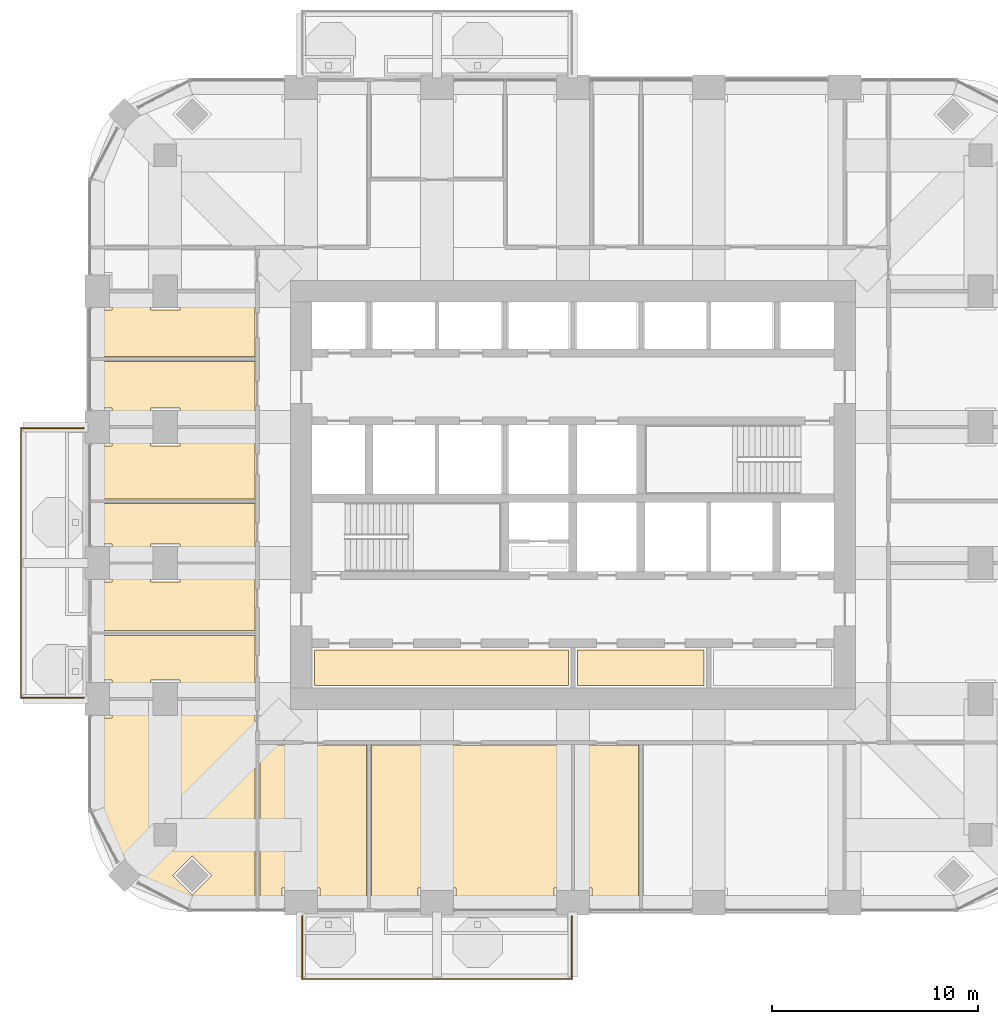
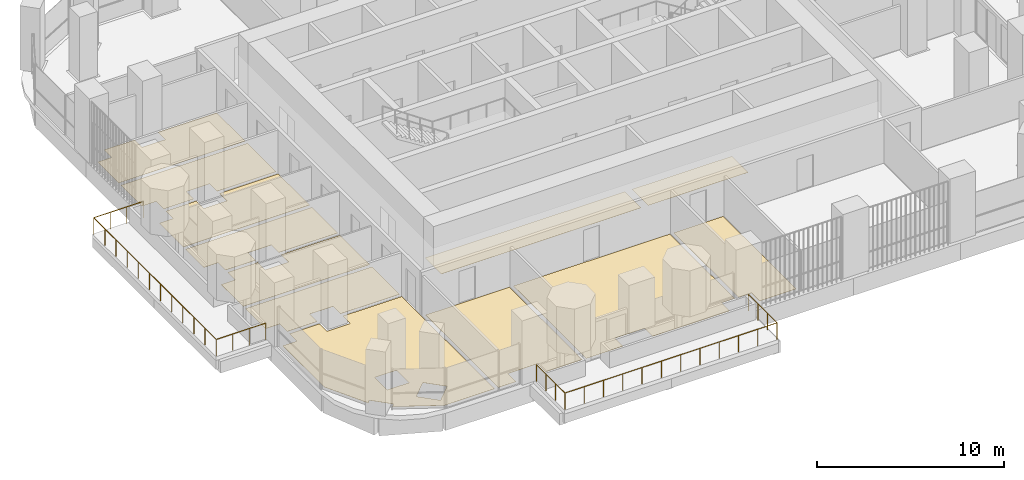
# One storey, part 16 of 20: 12 coverings, 2 railings.
"""IFC4 building model written with IfcOpenShell, lengths in metres."""

import ifcopenshell
import ifcopenshell.guid

model = None  # the IFC model being written
_history = None  # IfcOwnerHistory: only IFC2X3 demands one
_inside = {}  # id of a spatial element -> (the spatial element, [elements in it])
_under = {}  # id of a project, library or spatial element -> (it, [spatial elements below it])
_declared = {}  # id of a project -> (the project, [libraries it declares])
_typed = {}  # id of a type object -> (the type object, [elements of that type])
_made_of = {}  # id of a material, layer set ... -> (it, [elements and type objects made of it])


def new_model(schema):
    """Start an empty IFC model of exactly this schema.

    Asked for "IFC4X3", IfcOpenShell would pick the latest addendum, in which some entities
    have other attributes; the version numbers below select the first issue.
    IFC2X3 requires an IfcOwnerHistory on every rooted entity: one is made here for all.
    """
    global model, _history
    if schema == "IFC4X3":
        model = ifcopenshell.file(schema_version=(4, 3, 0, 0))
    else:
        model = ifcopenshell.file(schema=schema)
    _inside.clear()
    _under.clear()
    _declared.clear()
    _typed.clear()
    _made_of.clear()
    _history = None
    if model.schema == "IFC2X3":
        org = make("IfcOrganization", Name="unknown")
        user = make(
            "IfcPersonAndOrganization",
            ThePerson=make("IfcPerson", FamilyName="unknown"),
            TheOrganization=org,
        )
        app = make(
            "IfcApplication",
            ApplicationDeveloper=org,
            Version="unknown",
            ApplicationFullName="unknown",
            ApplicationIdentifier="unknown",
        )
        _history = make(
            "IfcOwnerHistory",
            OwningUser=user,
            OwningApplication=app,
            ChangeAction="ADDED",
            CreationDate=0,
        )
    return model


def make(cls, **values):
    """One entity of the class cls with the attributes given. An attribute that is None is left unset."""
    return model.create_entity(
        cls, **{name: value for name, value in values.items() if value is not None}
    )


def rooted(cls, **values):
    """An entity with a GlobalId (a new one), such as an element, a storey or a relation."""
    return make(cls, GlobalId=ifcopenshell.guid.new(), OwnerHistory=_history, **values)


def si_unit(unit_type, name, prefix=None):
    """IfcSIUnit, for example si_unit("LENGTHUNIT", "METRE", prefix="MILLI")."""
    return make("IfcSIUnit", UnitType=unit_type, Prefix=prefix, Name=name)


def assignment(units):
    """IfcUnitAssignment: the units of a project."""
    return None if units is None else make("IfcUnitAssignment", Units=units)


def point(xyz):
    """IfcCartesianPoint."""
    return None if xyz is None else make("IfcCartesianPoint", Coordinates=xyz)


def direction(xyz):
    """IfcDirection."""
    return None if xyz is None else make("IfcDirection", DirectionRatios=xyz)


def frame(location, z_axis=None, x_axis=None):
    """IfcAxis2Placement3D, a coordinate frame: its origin and axes. An axis left out is left unset."""
    return make(
        "IfcAxis2Placement3D",
        Location=point(location),
        Axis=direction(z_axis),
        RefDirection=direction(x_axis),
    )


def origin():
    """The frame at (0, 0, 0) with its axes left unset."""
    return frame((0.0, 0.0, 0.0))


def place(relative_to, where):
    """IfcLocalPlacement: puts the frame where relative to a parent placement (None: the world)."""
    return make(
        "IfcLocalPlacement", PlacementRelTo=relative_to, RelativePlacement=where
    )


def context(
    kind, dimensions, precision=None, world=None, true_north=None, identifier=None
):
    """IfcGeometricRepresentationContext, for example the 3D "Model" context."""
    return make(
        "IfcGeometricRepresentationContext",
        ContextIdentifier=identifier,
        ContextType=kind,
        CoordinateSpaceDimension=dimensions,
        Precision=precision,
        WorldCoordinateSystem=world,
        TrueNorth=true_north,
    )


def subcontext(parent, identifier, kind, view, scale=None):
    """IfcGeometricRepresentationSubContext, for example "Body" below "Model"."""
    return make(
        "IfcGeometricRepresentationSubContext",
        ContextIdentifier=identifier,
        ContextType=kind,
        ParentContext=parent,
        TargetScale=scale,
        TargetView=view,
    )


def project(units=None, contexts=None):
    """IfcProject with its units and contexts."""
    return rooted(
        "IfcProject",
        Name="project",
        RepresentationContexts=contexts,
        UnitsInContext=assignment(units),
    )


def spatial(cls, under=None, at=None, **own):
    """A site, building, storey or space (cls), placed at a placement, below another one or the project."""
    s = rooted(cls, ObjectPlacement=at, **own)
    if under is not None:
        _under.setdefault(under.id(), (under, []))[1].append(s)
    return s


def polyline(points):
    """IfcPolyline through the points."""
    return make("IfcPolyline", Points=[point(p) for p in points])


def outline(outer, holes=None, kind="AREA"):
    """IfcArbitraryClosedProfileDef: a profile drawn as a closed curve; with holes, ...WithVoids."""
    if holes is None:
        return make("IfcArbitraryClosedProfileDef", ProfileType=kind, OuterCurve=outer)
    return make(
        "IfcArbitraryProfileDefWithVoids",
        ProfileType=kind,
        OuterCurve=outer,
        InnerCurves=holes,
    )


def extrude(swept, where, along, depth):
    """IfcExtrudedAreaSolid: the profile swept, set in the frame where, extruded along a direction by depth."""
    return make(
        "IfcExtrudedAreaSolid",
        SweptArea=swept,
        Position=where,
        ExtrudedDirection=direction(along),
        Depth=depth,
    )


def shape(context_of_items, identifier, shape_type, items):
    """IfcShapeRepresentation: the items that make up one representation, for example the "Body"."""
    return make(
        "IfcShapeRepresentation",
        ContextOfItems=context_of_items,
        RepresentationIdentifier=identifier,
        RepresentationType=shape_type,
        Items=items,
    )


def material(Name=None, Category=None):
    """IfcMaterial."""
    return make("IfcMaterial", Name=Name, Category=Category)


def layer(
    of_material, thickness, ventilated=None, Name=None, Category=None, Priority=None
):
    """IfcMaterialLayer: one layer of a wall or slab, of a material (None: an air gap)."""
    return make(
        "IfcMaterialLayer",
        Material=of_material,
        LayerThickness=thickness,
        IsVentilated=ventilated,
        Name=Name,
        Category=Category,
        Priority=Priority,
    )


def layer_set(layers, Name=None):
    """IfcMaterialLayerSet."""
    return make("IfcMaterialLayerSet", MaterialLayers=layers, LayerSetName=Name)


def made_of(thing, what):
    """Note that an element or type object is made of a material, layer set ...; save() writes the relation."""
    if what is not None:
        _made_of.setdefault(what.id(), (what, []))[1].append(thing)
    return thing


def type_object(cls, material=None, **own):
    """A type object (cls), such as IfcWallType, which elements share."""
    return made_of(rooted(cls, **own), material)


def element(
    cls,
    number,
    at=None,
    inside=None,
    cuts=None,
    type_object=None,
    material=None,
    context=None,
    identifier="Body",
    shape_type=None,
    held_by="IfcProductDefinitionShape",
    body=None,
    shapes=None,
    **own,
):
    """One element of the class cls, such as IfcWall. Its Tag is "e" and its number.

    at: its placement. inside: the storey or other place that contains it. cuts: it is an
    opening in that element (IfcRelVoidsElement). A single representation is given by context,
    identifier, shape_type and body (its items); several are given by shapes. held_by: the class
    of the entity that holds the representations. save() writes the other relations.
    """
    e = rooted(cls, Tag="e%d" % number, ObjectPlacement=at, **own)
    if body is not None:
        shapes = [shape(context, identifier, shape_type, body)]
    if shapes is not None:
        e.Representation = make(held_by, Representations=shapes)
    if inside is not None:
        _inside.setdefault(inside.id(), (inside, []))[1].append(e)
    if cuts is not None:
        rooted(
            "IfcRelVoidsElement", RelatingBuildingElement=cuts, RelatedOpeningElement=e
        )
    if type_object is not None:
        _typed.setdefault(type_object.id(), (type_object, []))[1].append(e)
    return made_of(e, material)


def aggregate(whole, parts):
    """IfcRelAggregates: a whole, such as a stair, and the parts it consists of."""
    return rooted("IfcRelAggregates", RelatingObject=whole, RelatedObjects=parts)


def save(model, path):
    """Write the relations noted so far, then the file.

    IfcRelAggregates (storeys below a building ...), IfcRelContainedInSpatialStructure (elements
    in a storey), IfcRelDefinesByType, IfcRelAssociatesMaterial and IfcRelDeclares: one each for
    every whole, place, type object, material and project.
    """
    for whole, parts in _under.values():
        aggregate(whole, parts)
    for where, things in _inside.values():
        rooted(
            "IfcRelContainedInSpatialStructure",
            RelatedElements=things,
            RelatingStructure=where,
        )
    for kind, things in _typed.values():
        rooted("IfcRelDefinesByType", RelatedObjects=things, RelatingType=kind)
    for what, things in _made_of.values():
        rooted("IfcRelAssociatesMaterial", RelatedObjects=things, RelatingMaterial=what)
    for by, libraries in _declared.values():
        rooted("IfcRelDeclares", RelatingContext=by, RelatedDefinitions=libraries)
    model.write(path)


model = new_model("IFC4")

# Units and contexts
model_context = context("Model", 3, precision=1e-05, world=origin(), true_north=direction((0.0, 1.0)))
body_context = subcontext(model_context, "Body", "Model", "MODEL_VIEW")
ifc_project = project(units=[si_unit("LENGTHUNIT", "METRE"), si_unit("AREAUNIT", "SQUARE_METRE"), si_unit("VOLUMEUNIT", "CUBIC_METRE"), si_unit("PLANEANGLEUNIT", "RADIAN"), si_unit("MASSUNIT", "GRAM", prefix="KILO")], contexts=[model_context])

# Site, building, storey
site_placement = place(None, origin())
site = spatial("IfcSite", under=ifc_project, at=site_placement, CompositionType="ELEMENT")
building_placement = place(site_placement, origin())
building = spatial("IfcBuilding", under=site, at=building_placement, Name="Cobogo Forest Laboratory Tower", CompositionType="ELEMENT")
storey_placement = place(building_placement, frame((0.0, 0.0, 210.300048828125)))
storey = spatial("IfcBuildingStorey", under=building, at=storey_placement, Name="L48", CompositionType="ELEMENT", Elevation=210.300048828125)

# Railings
ifc_material_1 = material(Name="Laminated glass balustrade", Category="glass")
railing_type = type_object("IfcRailingType", Name="BG1 glass balustrade 1100", PredefinedType="GUARDRAIL", material=ifc_material_1)
railing_1_placement = place(storey_placement, frame((13.25, 2.64990234375, 0.0)))
element("IfcRailing", 1, at=railing_1_placement, inside=storey, type_object=railing_type, Name="Balcony balustrade BAL-S1 L48", PredefinedType="GUARDRAIL", context=body_context, shape_type="SweptSolid", body=[
    extrude(outline(polyline([(0.022216796875, 0.00927734375), (0.00927734375, 0.022216796875), (-0.00927734375, 0.022216796875), (-0.022216796875, 0.00927734375), (-0.022216796875, -0.00927734375), (-0.00927734375, -0.022216796875), (0.00927734375, -0.022216796875), (0.022216796875, -0.00927734375), (0.022216796875, 0.00927734375)])), frame((0.0, 0.0, 1.077880859375), z_axis=(0.0, -1.0, 0.0), x_axis=(1.0, 0.0, 0.0)), (0.0, 0.0, 1.0), 3.0498046875),
    extrude(outline(polyline([(0.022216796875, 0.00927734375), (0.00927734375, 0.022216796875), (-0.00927734375, 0.022216796875), (-0.022216796875, 0.00927734375), (-0.022216796875, -0.00927734375), (-0.00927734375, -0.022216796875), (0.00927734375, -0.022216796875), (0.022216796875, -0.00927734375), (0.022216796875, 0.00927734375)])), frame((0.0, -3.0498046875, 1.077880859375), z_axis=(1.0, 0.0, 0.0), x_axis=(0.0, 1.0, 0.0)), (0.0, 0.0, 1.0), 13.10009765625),
    extrude(outline(polyline([(0.022216796875, 0.00927734375), (0.00927734375, 0.022216796875), (-0.00927734375, 0.022216796875), (-0.022216796875, 0.00927734375), (-0.022216796875, -0.00927734375), (-0.00927734375, -0.022216796875), (0.00927734375, -0.022216796875), (0.022216796875, -0.00927734375), (0.022216796875, 0.00927734375)])), frame((13.10009765625, -3.0498046875, 1.077880859375), z_axis=(0.0, 1.0, 0.0), x_axis=(-1.0, 0.0, 0.0)), (0.0, 0.0, 1.0), 3.0498046875),
    extrude(outline(polyline([(0.019287109375, 0.008056640625), (0.008056640625, 0.019287109375), (-0.008056640625, 0.019287109375), (-0.019287109375, 0.008056640625), (-0.019287109375, -0.008056640625), (-0.008056640625, -0.019287109375), (0.008056640625, -0.019287109375), (0.019287109375, -0.008056640625), (0.019287109375, 0.008056640625)])), origin(), (0.0, 0.0, 1.0), 1.077880859375),
    extrude(outline(polyline([(0.019287109375, 0.008056640625), (0.008056640625, 0.019287109375), (-0.008056640625, 0.019287109375), (-0.019287109375, 0.008056640625), (-0.019287109375, -0.008056640625), (-0.008056640625, -0.019287109375), (0.008056640625, -0.019287109375), (0.019287109375, -0.008056640625), (0.019287109375, 0.008056640625)])), frame((0.0, -1.0166015625, 0.0)), (0.0, 0.0, 1.0), 1.077880859375),
    extrude(outline(polyline([(0.019287109375, 0.008056640625), (0.008056640625, 0.019287109375), (-0.008056640625, 0.019287109375), (-0.019287109375, 0.008056640625), (-0.019287109375, -0.008056640625), (-0.008056640625, -0.019287109375), (0.008056640625, -0.019287109375), (0.019287109375, -0.008056640625), (0.019287109375, 0.008056640625)])), frame((0.0, -2.033203125, 0.0)), (0.0, 0.0, 1.0), 1.077880859375),
    extrude(outline(polyline([(0.019287109375, 0.008056640625), (0.008056640625, 0.019287109375), (-0.008056640625, 0.019287109375), (-0.019287109375, 0.008056640625), (-0.019287109375, -0.008056640625), (-0.008056640625, -0.019287109375), (0.008056640625, -0.019287109375), (0.019287109375, -0.008056640625), (0.019287109375, 0.008056640625)])), frame((0.0, -3.0498046875, 0.0)), (0.0, 0.0, 1.0), 1.077880859375),
    extrude(outline(polyline([(0.019287109375, 0.008056640625), (0.008056640625, 0.019287109375), (-0.008056640625, 0.019287109375), (-0.019287109375, 0.008056640625), (-0.019287109375, -0.008056640625), (-0.008056640625, -0.019287109375), (0.008056640625, -0.019287109375), (0.019287109375, -0.008056640625), (0.019287109375, 0.008056640625)])), frame((1.19091796875, -3.0498046875, 0.0)), (0.0, 0.0, 1.0), 1.077880859375),
    extrude(outline(polyline([(0.019287109375, 0.008056640625), (0.008056640625, 0.019287109375), (-0.008056640625, 0.019287109375), (-0.019287109375, 0.008056640625), (-0.019287109375, -0.008056640625), (-0.008056640625, -0.019287109375), (0.008056640625, -0.019287109375), (0.019287109375, -0.008056640625), (0.019287109375, 0.008056640625)])), frame((2.3818359375, -3.0498046875, 0.0)), (0.0, 0.0, 1.0), 1.077880859375),
    extrude(outline(polyline([(0.019287109375, 0.008056640625), (0.008056640625, 0.019287109375), (-0.008056640625, 0.019287109375), (-0.019287109375, 0.008056640625), (-0.019287109375, -0.008056640625), (-0.008056640625, -0.019287109375), (0.008056640625, -0.019287109375), (0.019287109375, -0.008056640625), (0.019287109375, 0.008056640625)])), frame((3.57275390625, -3.0498046875, 0.0)), (0.0, 0.0, 1.0), 1.077880859375),
    extrude(outline(polyline([(0.019287109375, 0.008056640625), (0.008056640625, 0.019287109375), (-0.008056640625, 0.019287109375), (-0.019287109375, 0.008056640625), (-0.019287109375, -0.008056640625), (-0.008056640625, -0.019287109375), (0.008056640625, -0.019287109375), (0.019287109375, -0.008056640625), (0.019287109375, 0.008056640625)])), frame((4.763671875, -3.0498046875, 0.0)), (0.0, 0.0, 1.0), 1.077880859375),
    extrude(outline(polyline([(0.019287109375, 0.008056640625), (0.008056640625, 0.019287109375), (-0.008056640625, 0.019287109375), (-0.019287109375, 0.008056640625), (-0.019287109375, -0.008056640625), (-0.008056640625, -0.019287109375), (0.008056640625, -0.019287109375), (0.019287109375, -0.008056640625), (0.019287109375, 0.008056640625)])), frame((5.95458984375, -3.0498046875, 0.0)), (0.0, 0.0, 1.0), 1.077880859375),
    extrude(outline(polyline([(0.019287109375, 0.008056640625), (0.008056640625, 0.019287109375), (-0.008056640625, 0.019287109375), (-0.019287109375, 0.008056640625), (-0.019287109375, -0.008056640625), (-0.008056640625, -0.019287109375), (0.008056640625, -0.019287109375), (0.019287109375, -0.008056640625), (0.019287109375, 0.008056640625)])), frame((7.1455078125, -3.0498046875, 0.0)), (0.0, 0.0, 1.0), 1.077880859375),
    extrude(outline(polyline([(0.019287109375, 0.008056640625), (0.008056640625, 0.019287109375), (-0.008056640625, 0.019287109375), (-0.019287109375, 0.008056640625), (-0.019287109375, -0.008056640625), (-0.008056640625, -0.019287109375), (0.008056640625, -0.019287109375), (0.019287109375, -0.008056640625), (0.019287109375, 0.008056640625)])), frame((8.33642578125, -3.0498046875, 0.0)), (0.0, 0.0, 1.0), 1.077880859375),
    extrude(outline(polyline([(0.019287109375, 0.008056640625), (0.008056640625, 0.019287109375), (-0.008056640625, 0.019287109375), (-0.019287109375, 0.008056640625), (-0.019287109375, -0.008056640625), (-0.008056640625, -0.019287109375), (0.008056640625, -0.019287109375), (0.019287109375, -0.008056640625), (0.019287109375, 0.008056640625)])), frame((9.52734375, -3.0498046875, 0.0)), (0.0, 0.0, 1.0), 1.077880859375),
    extrude(outline(polyline([(0.019287109375, 0.008056640625), (0.008056640625, 0.019287109375), (-0.008056640625, 0.019287109375), (-0.019287109375, 0.008056640625), (-0.019287109375, -0.008056640625), (-0.008056640625, -0.019287109375), (0.008056640625, -0.019287109375), (0.019287109375, -0.008056640625), (0.019287109375, 0.008056640625)])), frame((10.71826171875, -3.0498046875, 0.0)), (0.0, 0.0, 1.0), 1.077880859375),
    extrude(outline(polyline([(0.019287109375, 0.008056640625), (0.008056640625, 0.019287109375), (-0.008056640625, 0.019287109375), (-0.019287109375, 0.008056640625), (-0.019287109375, -0.008056640625), (-0.008056640625, -0.019287109375), (0.008056640625, -0.019287109375), (0.019287109375, -0.008056640625), (0.019287109375, 0.008056640625)])), frame((11.9091796875, -3.0498046875, 0.0)), (0.0, 0.0, 1.0), 1.077880859375),
    extrude(outline(polyline([(0.019287109375, 0.008056640625), (0.008056640625, 0.019287109375), (-0.008056640625, 0.019287109375), (-0.019287109375, 0.008056640625), (-0.019287109375, -0.008056640625), (-0.008056640625, -0.019287109375), (0.008056640625, -0.019287109375), (0.019287109375, -0.008056640625), (0.019287109375, 0.008056640625)])), frame((13.10009765625, -3.0498046875, 0.0)), (0.0, 0.0, 1.0), 1.077880859375),
    extrude(outline(polyline([(0.019287109375, 0.008056640625), (0.008056640625, 0.019287109375), (-0.008056640625, 0.019287109375), (-0.019287109375, 0.008056640625), (-0.019287109375, -0.008056640625), (-0.008056640625, -0.019287109375), (0.008056640625, -0.019287109375), (0.019287109375, -0.008056640625), (0.019287109375, 0.008056640625)])), frame((13.10009765625, -2.033203125, 0.0)), (0.0, 0.0, 1.0), 1.077880859375),
    extrude(outline(polyline([(0.019287109375, 0.008056640625), (0.008056640625, 0.019287109375), (-0.008056640625, 0.019287109375), (-0.019287109375, 0.008056640625), (-0.019287109375, -0.008056640625), (-0.008056640625, -0.019287109375), (0.008056640625, -0.019287109375), (0.019287109375, -0.008056640625), (0.019287109375, 0.008056640625)])), frame((13.10009765625, -1.0166015625, 0.0)), (0.0, 0.0, 1.0), 1.077880859375),
    extrude(outline(polyline([(0.019287109375, 0.008056640625), (0.008056640625, 0.019287109375), (-0.008056640625, 0.019287109375), (-0.019287109375, 0.008056640625), (-0.019287109375, -0.008056640625), (-0.008056640625, -0.019287109375), (0.008056640625, -0.019287109375), (0.019287109375, -0.008056640625), (0.019287109375, 0.008056640625)])), frame((13.10009765625, 0.0, 0.0)), (0.0, 0.0, 1.0), 1.077880859375),
])
railing_2_placement = place(storey_placement, frame((2.64990234375, 13.25, 0.0)))
element("IfcRailing", 2, at=railing_2_placement, inside=storey, type_object=railing_type, Name="Balcony balustrade BAL-W1 L48", PredefinedType="GUARDRAIL", context=body_context, shape_type="SweptSolid", body=[
    extrude(outline(polyline([(0.022216796875, 0.00927734375), (0.00927734375, 0.022216796875), (-0.00927734375, 0.022216796875), (-0.022216796875, 0.00927734375), (-0.022216796875, -0.00927734375), (-0.00927734375, -0.022216796875), (0.00927734375, -0.022216796875), (0.022216796875, -0.00927734375), (0.022216796875, 0.00927734375)])), frame((0.0, 0.0, 1.077880859375), z_axis=(-1.0, 0.0, 0.0), x_axis=(0.0, -1.0, 0.0)), (0.0, 0.0, 1.0), 3.0498046875),
    extrude(outline(polyline([(0.022216796875, 0.00927734375), (0.00927734375, 0.022216796875), (-0.00927734375, 0.022216796875), (-0.022216796875, 0.00927734375), (-0.022216796875, -0.00927734375), (-0.00927734375, -0.022216796875), (0.00927734375, -0.022216796875), (0.022216796875, -0.00927734375), (0.022216796875, 0.00927734375)])), frame((-3.0498046875, 0.0, 1.077880859375), z_axis=(0.0, 1.0, 0.0), x_axis=(-1.0, 0.0, 0.0)), (0.0, 0.0, 1.0), 13.10009765625),
    extrude(outline(polyline([(0.022216796875, 0.00927734375), (0.00927734375, 0.022216796875), (-0.00927734375, 0.022216796875), (-0.022216796875, 0.00927734375), (-0.022216796875, -0.00927734375), (-0.00927734375, -0.022216796875), (0.00927734375, -0.022216796875), (0.022216796875, -0.00927734375), (0.022216796875, 0.00927734375)])), frame((-3.0498046875, 13.10009765625, 1.077880859375), z_axis=(1.0, 0.0, 0.0), x_axis=(0.0, 1.0, 0.0)), (0.0, 0.0, 1.0), 3.0498046875),
    extrude(outline(polyline([(0.019287109375, 0.008056640625), (0.008056640625, 0.019287109375), (-0.008056640625, 0.019287109375), (-0.019287109375, 0.008056640625), (-0.019287109375, -0.008056640625), (-0.008056640625, -0.019287109375), (0.008056640625, -0.019287109375), (0.019287109375, -0.008056640625), (0.019287109375, 0.008056640625)])), origin(), (0.0, 0.0, 1.0), 1.077880859375),
    extrude(outline(polyline([(0.019287109375, 0.008056640625), (0.008056640625, 0.019287109375), (-0.008056640625, 0.019287109375), (-0.019287109375, 0.008056640625), (-0.019287109375, -0.008056640625), (-0.008056640625, -0.019287109375), (0.008056640625, -0.019287109375), (0.019287109375, -0.008056640625), (0.019287109375, 0.008056640625)])), frame((-1.0166015625, 0.0, 0.0)), (0.0, 0.0, 1.0), 1.077880859375),
    extrude(outline(polyline([(0.019287109375, 0.008056640625), (0.008056640625, 0.019287109375), (-0.008056640625, 0.019287109375), (-0.019287109375, 0.008056640625), (-0.019287109375, -0.008056640625), (-0.008056640625, -0.019287109375), (0.008056640625, -0.019287109375), (0.019287109375, -0.008056640625), (0.019287109375, 0.008056640625)])), frame((-2.033203125, 0.0, 0.0)), (0.0, 0.0, 1.0), 1.077880859375),
    extrude(outline(polyline([(0.019287109375, 0.008056640625), (0.008056640625, 0.019287109375), (-0.008056640625, 0.019287109375), (-0.019287109375, 0.008056640625), (-0.019287109375, -0.008056640625), (-0.008056640625, -0.019287109375), (0.008056640625, -0.019287109375), (0.019287109375, -0.008056640625), (0.019287109375, 0.008056640625)])), frame((-3.0498046875, 0.0, 0.0)), (0.0, 0.0, 1.0), 1.077880859375),
    extrude(outline(polyline([(0.019287109375, 0.008056640625), (0.008056640625, 0.019287109375), (-0.008056640625, 0.019287109375), (-0.019287109375, 0.008056640625), (-0.019287109375, -0.008056640625), (-0.008056640625, -0.019287109375), (0.008056640625, -0.019287109375), (0.019287109375, -0.008056640625), (0.019287109375, 0.008056640625)])), frame((-3.0498046875, 1.19091796875, 0.0)), (0.0, 0.0, 1.0), 1.077880859375),
    extrude(outline(polyline([(0.019287109375, 0.008056640625), (0.008056640625, 0.019287109375), (-0.008056640625, 0.019287109375), (-0.019287109375, 0.008056640625), (-0.019287109375, -0.008056640625), (-0.008056640625, -0.019287109375), (0.008056640625, -0.019287109375), (0.019287109375, -0.008056640625), (0.019287109375, 0.008056640625)])), frame((-3.0498046875, 2.3818359375, 0.0)), (0.0, 0.0, 1.0), 1.077880859375),
    extrude(outline(polyline([(0.019287109375, 0.008056640625), (0.008056640625, 0.019287109375), (-0.008056640625, 0.019287109375), (-0.019287109375, 0.008056640625), (-0.019287109375, -0.008056640625), (-0.008056640625, -0.019287109375), (0.008056640625, -0.019287109375), (0.019287109375, -0.008056640625), (0.019287109375, 0.008056640625)])), frame((-3.0498046875, 3.57275390625, 0.0)), (0.0, 0.0, 1.0), 1.077880859375),
    extrude(outline(polyline([(0.019287109375, 0.008056640625), (0.008056640625, 0.019287109375), (-0.008056640625, 0.019287109375), (-0.019287109375, 0.008056640625), (-0.019287109375, -0.008056640625), (-0.008056640625, -0.019287109375), (0.008056640625, -0.019287109375), (0.019287109375, -0.008056640625), (0.019287109375, 0.008056640625)])), frame((-3.0498046875, 4.763671875, 0.0)), (0.0, 0.0, 1.0), 1.077880859375),
    extrude(outline(polyline([(0.019287109375, 0.008056640625), (0.008056640625, 0.019287109375), (-0.008056640625, 0.019287109375), (-0.019287109375, 0.008056640625), (-0.019287109375, -0.008056640625), (-0.008056640625, -0.019287109375), (0.008056640625, -0.019287109375), (0.019287109375, -0.008056640625), (0.019287109375, 0.008056640625)])), frame((-3.0498046875, 5.95458984375, 0.0)), (0.0, 0.0, 1.0), 1.077880859375),
    extrude(outline(polyline([(0.019287109375, 0.008056640625), (0.008056640625, 0.019287109375), (-0.008056640625, 0.019287109375), (-0.019287109375, 0.008056640625), (-0.019287109375, -0.008056640625), (-0.008056640625, -0.019287109375), (0.008056640625, -0.019287109375), (0.019287109375, -0.008056640625), (0.019287109375, 0.008056640625)])), frame((-3.0498046875, 7.1455078125, 0.0)), (0.0, 0.0, 1.0), 1.077880859375),
    extrude(outline(polyline([(0.019287109375, 0.008056640625), (0.008056640625, 0.019287109375), (-0.008056640625, 0.019287109375), (-0.019287109375, 0.008056640625), (-0.019287109375, -0.008056640625), (-0.008056640625, -0.019287109375), (0.008056640625, -0.019287109375), (0.019287109375, -0.008056640625), (0.019287109375, 0.008056640625)])), frame((-3.0498046875, 8.33642578125, 0.0)), (0.0, 0.0, 1.0), 1.077880859375),
    extrude(outline(polyline([(0.019287109375, 0.008056640625), (0.008056640625, 0.019287109375), (-0.008056640625, 0.019287109375), (-0.019287109375, 0.008056640625), (-0.019287109375, -0.008056640625), (-0.008056640625, -0.019287109375), (0.008056640625, -0.019287109375), (0.019287109375, -0.008056640625), (0.019287109375, 0.008056640625)])), frame((-3.0498046875, 9.52734375, 0.0)), (0.0, 0.0, 1.0), 1.077880859375),
    extrude(outline(polyline([(0.019287109375, 0.008056640625), (0.008056640625, 0.019287109375), (-0.008056640625, 0.019287109375), (-0.019287109375, 0.008056640625), (-0.019287109375, -0.008056640625), (-0.008056640625, -0.019287109375), (0.008056640625, -0.019287109375), (0.019287109375, -0.008056640625), (0.019287109375, 0.008056640625)])), frame((-3.0498046875, 10.71826171875, 0.0)), (0.0, 0.0, 1.0), 1.077880859375),
    extrude(outline(polyline([(0.019287109375, 0.008056640625), (0.008056640625, 0.019287109375), (-0.008056640625, 0.019287109375), (-0.019287109375, 0.008056640625), (-0.019287109375, -0.008056640625), (-0.008056640625, -0.019287109375), (0.008056640625, -0.019287109375), (0.019287109375, -0.008056640625), (0.019287109375, 0.008056640625)])), frame((-3.0498046875, 11.9091796875, 0.0)), (0.0, 0.0, 1.0), 1.077880859375),
    extrude(outline(polyline([(0.019287109375, 0.008056640625), (0.008056640625, 0.019287109375), (-0.008056640625, 0.019287109375), (-0.019287109375, 0.008056640625), (-0.019287109375, -0.008056640625), (-0.008056640625, -0.019287109375), (0.008056640625, -0.019287109375), (0.019287109375, -0.008056640625), (0.019287109375, 0.008056640625)])), frame((-3.0498046875, 13.10009765625, 0.0)), (0.0, 0.0, 1.0), 1.077880859375),
    extrude(outline(polyline([(0.019287109375, 0.008056640625), (0.008056640625, 0.019287109375), (-0.008056640625, 0.019287109375), (-0.019287109375, 0.008056640625), (-0.019287109375, -0.008056640625), (-0.008056640625, -0.019287109375), (0.008056640625, -0.019287109375), (0.019287109375, -0.008056640625), (0.019287109375, 0.008056640625)])), frame((-2.033203125, 13.10009765625, 0.0)), (0.0, 0.0, 1.0), 1.077880859375),
    extrude(outline(polyline([(0.019287109375, 0.008056640625), (0.008056640625, 0.019287109375), (-0.008056640625, 0.019287109375), (-0.019287109375, 0.008056640625), (-0.019287109375, -0.008056640625), (-0.008056640625, -0.019287109375), (0.008056640625, -0.019287109375), (0.019287109375, -0.008056640625), (0.019287109375, 0.008056640625)])), frame((-1.0166015625, 13.10009765625, 0.0)), (0.0, 0.0, 1.0), 1.077880859375),
    extrude(outline(polyline([(0.019287109375, 0.008056640625), (0.008056640625, 0.019287109375), (-0.008056640625, 0.019287109375), (-0.019287109375, 0.008056640625), (-0.019287109375, -0.008056640625), (-0.008056640625, -0.019287109375), (0.008056640625, -0.019287109375), (0.019287109375, -0.008056640625), (0.019287109375, 0.008056640625)])), frame((0.0, 13.10009765625, 0.0)), (0.0, 0.0, 1.0), 1.077880859375),
])

# Coverings
ifc_material_2 = material(Name="Carpet tile on raised access floor", Category="flooring")
ifc_layer_1 = layer(ifc_material_2, 0.008056640625)
ifc_layer_set_1 = layer_set([ifc_layer_1], Name="CT1 carpet tile floor 8")
covering_type_1 = type_object("IfcCoveringType", Name="CT1 carpet tile floor 8", PredefinedType="FLOORING", material=ifc_layer_set_1)
covering_1_placement = place(storey_placement, origin())
element("IfcCovering", 3, at=covering_1_placement, inside=storey, type_object=covering_type_1, Name="Carpet floor L48-01", PredefinedType="FLOORING", context=body_context, shape_type="SweptSolid", body=[
    extrude(outline(polyline([(16.3798828125, 10.955078125), (16.3798828125, 3.14990234375), (14.1201171875, 3.14990234375), (14.1201171875, 4.02001953125), (12.280029296875, 4.02001953125), (12.280029296875, 3.14990234375), (11.195068359375, 3.14990234375), (11.195068359375, 10.955078125), (16.3798828125, 10.955078125)])), origin(), (0.0, 0.0, 1.0), 0.008056640625),
])
covering_2_placement = place(storey_placement, origin())
element("IfcCovering", 4, at=covering_2_placement, inside=storey, type_object=covering_type_1, Name="Carpet floor L48-02", PredefinedType="FLOORING", context=body_context, shape_type="SweptSolid", body=[
    extrude(outline(polyline([(26.280029296875, 10.955078125), (26.280029296875, 4.02001953125), (25.47998046875, 4.02001953125), (25.47998046875, 3.14990234375), (20.719970703125, 3.14990234375), (20.719970703125, 4.02001953125), (18.8798828125, 4.02001953125), (18.8798828125, 3.14990234375), (16.6201171875, 3.14990234375), (16.6201171875, 10.955078125), (26.280029296875, 10.955078125)])), origin(), (0.0, 0.0, 1.0), 0.008056640625),
])
covering_3_placement = place(storey_placement, origin())
element("IfcCovering", 5, at=covering_3_placement, inside=storey, type_object=covering_type_1, Name="Carpet floor L48-03", PredefinedType="FLOORING", context=body_context, shape_type="SweptSolid", body=[
    extrude(outline(polyline([(29.580078125, 10.955078125), (29.580078125, 3.14990234375), (27.320068359375, 3.14990234375), (27.320068359375, 4.02001953125), (26.52001953125, 4.02001953125), (26.52001953125, 10.955078125), (29.580078125, 10.955078125)])), origin(), (0.0, 0.0, 1.0), 0.008056640625),
])
covering_4_placement = place(storey_placement, origin())
element("IfcCovering", 6, at=covering_4_placement, inside=storey, type_object=covering_type_1, Name="Carpet floor L48-17", PredefinedType="FLOORING", context=body_context, shape_type="SweptSolid", body=[
    extrude(outline(polyline([(10.955078125, 3.14990234375), (7.84912109375, 3.14990234375), (5.387939453125, 4.440185546875), (5.5654296875, 4.617919921875), (4.617919921875, 5.5654296875), (4.440185546875, 5.387939453125), (3.14990234375, 7.84912109375), (3.14990234375, 12.280029296875), (4.02001953125, 12.280029296875), (4.02001953125, 13.080078125), (5.8798828125, 13.080078125), (5.8798828125, 12.280029296875), (7.320068359375, 12.280029296875), (7.320068359375, 13.080078125), (10.955078125, 13.080078125), (10.955078125, 3.14990234375)]), holes=[polyline([(7.91796875, 3.67041015625), (8.865478515625, 4.617919921875), (7.91796875, 5.5654296875), (6.970458984375, 4.617919921875), (7.91796875, 3.67041015625)]), polyline([(5.929931640625, 5.929931640625), (7.27001953125, 5.929931640625), (7.27001953125, 7.27001953125), (5.929931640625, 7.27001953125), (5.929931640625, 5.929931640625)])]), origin(), (0.0, 0.0, 1.0), 0.008056640625),
])
covering_5_placement = place(storey_placement, origin())
element("IfcCovering", 7, at=covering_5_placement, inside=storey, type_object=covering_type_1, Name="Carpet floor L48-33", PredefinedType="FLOORING", context=body_context, shape_type="SweptSolid", body=[
    extrude(outline(polyline([(26.179931640625, 13.844970703125), (13.844970703125, 13.844970703125), (13.844970703125, 15.580078125), (26.179931640625, 15.580078125), (26.179931640625, 13.844970703125)])), origin(), (0.0, 0.0, 1.0), 0.008056640625),
])
covering_6_placement = place(storey_placement, origin())
element("IfcCovering", 8, at=covering_6_placement, inside=storey, type_object=covering_type_1, Name="Carpet floor L48-34", PredefinedType="FLOORING", context=body_context, shape_type="SweptSolid", body=[
    extrude(outline(polyline([(32.780029296875, 13.844970703125), (26.6201171875, 13.844970703125), (26.6201171875, 15.580078125), (32.780029296875, 15.580078125), (32.780029296875, 13.844970703125)])), origin(), (0.0, 0.0, 1.0), 0.008056640625),
])
ifc_material_3 = material(Name="Static-dissipative vinyl flooring", Category="flooring")
ifc_layer_2 = layer(ifc_material_3, 0.0029296875)
ifc_layer_set_2 = layer_set([ifc_layer_2], Name="SD1 static-dissipative vinyl floor 3")
covering_type_2 = type_object("IfcCoveringType", Name="SD1 static-dissipative vinyl floor 3", PredefinedType="FLOORING", material=ifc_layer_set_2)
covering_7_placement = place(storey_placement, origin())
element("IfcCovering", 9, at=covering_7_placement, inside=storey, type_object=covering_type_2, Name="Static-dissipative floor L48-22", PredefinedType="FLOORING", context=body_context, shape_type="SweptSolid", body=[
    extrude(outline(polyline([(10.955078125, 26.52001953125), (7.320068359375, 26.52001953125), (7.320068359375, 27.320068359375), (5.8798828125, 27.320068359375), (5.8798828125, 26.52001953125), (4.02001953125, 26.52001953125), (4.02001953125, 27.320068359375), (3.14990234375, 27.320068359375), (3.14990234375, 29.580078125), (10.955078125, 29.580078125), (10.955078125, 26.52001953125)])), origin(), (0.0, 0.0, 1.0), 0.0029296875),
])
covering_8_placement = place(storey_placement, origin())
element("IfcCovering", 10, at=covering_8_placement, inside=storey, type_object=covering_type_2, Name="Static-dissipative floor L48-23", PredefinedType="FLOORING", context=body_context, shape_type="SweptSolid", body=[
    extrude(outline(polyline([(10.955078125, 29.820068359375), (3.14990234375, 29.820068359375), (3.14990234375, 32.080078125), (4.02001953125, 32.080078125), (4.02001953125, 32.8798828125), (5.8798828125, 32.8798828125), (5.8798828125, 32.080078125), (7.320068359375, 32.080078125), (7.320068359375, 32.8798828125), (10.955078125, 32.8798828125), (10.955078125, 29.820068359375)])), origin(), (0.0, 0.0, 1.0), 0.0029296875),
])
ifc_material_4 = material(Name="Ceramic floor tile", Category="flooring")
ifc_layer_3 = layer(ifc_material_4, 0.010009765625)
ifc_layer_set_3 = layer_set([ifc_layer_3], Name="TF1 ceramic tile floor 10")
covering_type_3 = type_object("IfcCoveringType", Name="TF1 ceramic tile floor 10", PredefinedType="FLOORING", material=ifc_layer_set_3)
covering_9_placement = place(storey_placement, origin())
element("IfcCovering", 11, at=covering_9_placement, inside=storey, type_object=covering_type_3, Name="Tile floor L48-18", PredefinedType="FLOORING", context=body_context, shape_type="SweptSolid", body=[
    extrude(outline(polyline([(10.955078125, 13.320068359375), (7.320068359375, 13.320068359375), (7.320068359375, 14.1201171875), (5.8798828125, 14.1201171875), (5.8798828125, 13.320068359375), (4.02001953125, 13.320068359375), (4.02001953125, 14.1201171875), (3.14990234375, 14.1201171875), (3.14990234375, 16.280029296875), (10.955078125, 16.280029296875), (10.955078125, 13.320068359375)])), origin(), (0.0, 0.0, 1.0), 0.010009765625),
])
covering_10_placement = place(storey_placement, origin())
element("IfcCovering", 12, at=covering_10_placement, inside=storey, type_object=covering_type_3, Name="Tile floor L48-19", PredefinedType="FLOORING", context=body_context, shape_type="SweptSolid", body=[
    extrude(outline(polyline([(10.955078125, 16.52001953125), (3.14990234375, 16.52001953125), (3.14990234375, 18.8798828125), (4.02001953125, 18.8798828125), (4.02001953125, 19.679931640625), (5.8798828125, 19.679931640625), (5.8798828125, 18.8798828125), (7.320068359375, 18.8798828125), (7.320068359375, 19.679931640625), (10.955078125, 19.679931640625), (10.955078125, 16.52001953125)])), origin(), (0.0, 0.0, 1.0), 0.010009765625),
])
covering_11_placement = place(storey_placement, origin())
element("IfcCovering", 13, at=covering_11_placement, inside=storey, type_object=covering_type_3, Name="Tile floor L48-20", PredefinedType="FLOORING", context=body_context, shape_type="SweptSolid", body=[
    extrude(outline(polyline([(10.955078125, 19.919921875), (7.320068359375, 19.919921875), (7.320068359375, 20.719970703125), (5.8798828125, 20.719970703125), (5.8798828125, 19.919921875), (4.02001953125, 19.919921875), (4.02001953125, 20.719970703125), (3.14990234375, 20.719970703125), (3.14990234375, 22.679931640625), (10.955078125, 22.679931640625), (10.955078125, 19.919921875)])), origin(), (0.0, 0.0, 1.0), 0.010009765625),
])
covering_12_placement = place(storey_placement, origin())
element("IfcCovering", 14, at=covering_12_placement, inside=storey, type_object=covering_type_3, Name="Tile floor L48-21", PredefinedType="FLOORING", context=body_context, shape_type="SweptSolid", body=[
    extrude(outline(polyline([(10.955078125, 22.919921875), (3.14990234375, 22.919921875), (3.14990234375, 25.47998046875), (4.02001953125, 25.47998046875), (4.02001953125, 26.280029296875), (5.8798828125, 26.280029296875), (5.8798828125, 25.47998046875), (7.320068359375, 25.47998046875), (7.320068359375, 26.280029296875), (10.955078125, 26.280029296875), (10.955078125, 22.919921875)])), origin(), (0.0, 0.0, 1.0), 0.010009765625),
])

save(model, "model.ifc")
